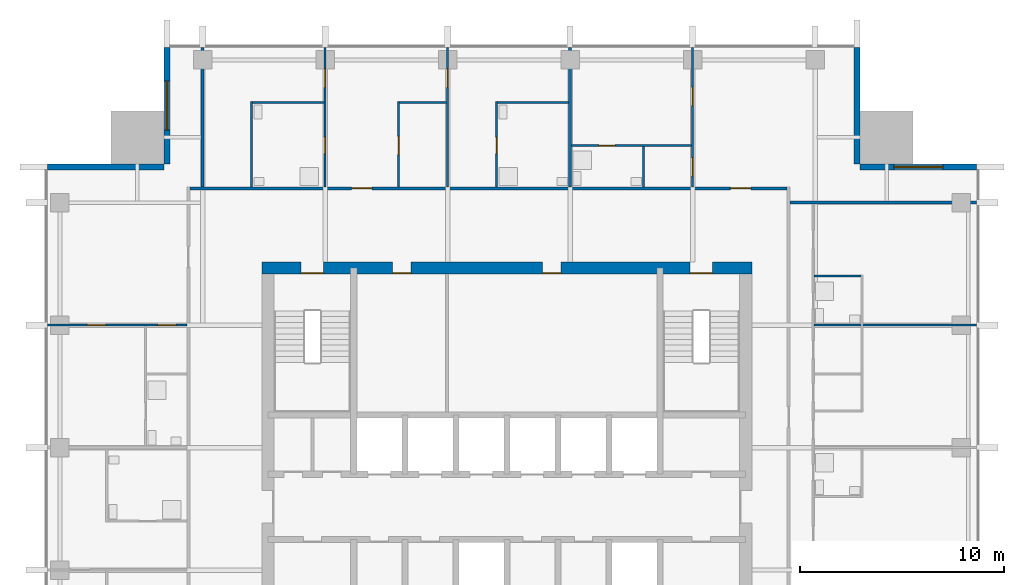
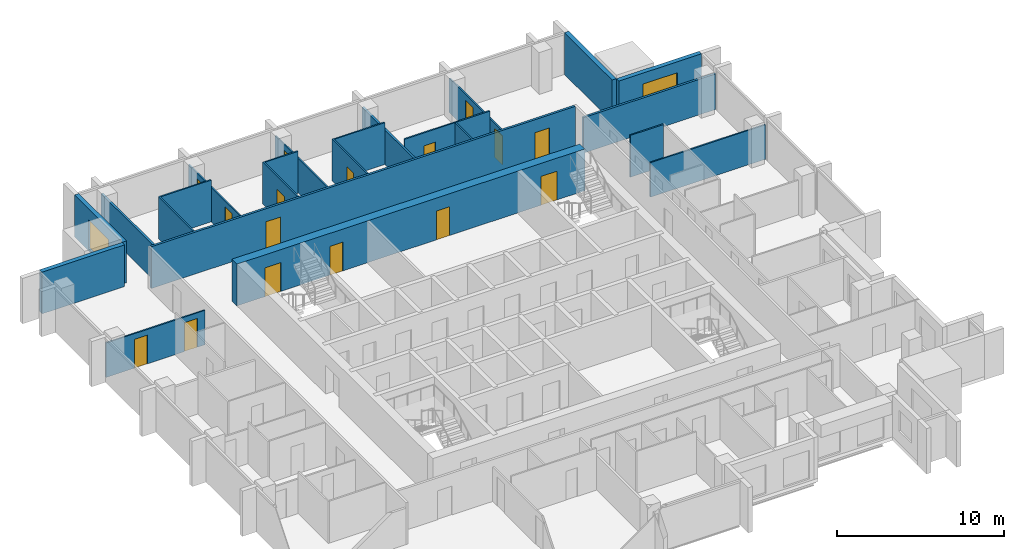
# One storey, part 7 of 10: 23 walls, 16 doors, 2 windows, 18 openings.
"""IFC4 building model written with IfcOpenShell, lengths in metres."""

import ifcopenshell
import ifcopenshell.guid

model = None  # the IFC model being written
_history = None  # IfcOwnerHistory: only IFC2X3 demands one
_inside = {}  # id of a spatial element -> (the spatial element, [elements in it])
_under = {}  # id of a project, library or spatial element -> (it, [spatial elements below it])
_declared = {}  # id of a project -> (the project, [libraries it declares])
_typed = {}  # id of a type object -> (the type object, [elements of that type])
_made_of = {}  # id of a material, layer set ... -> (it, [elements and type objects made of it])


def new_model(schema):
    """Start an empty IFC model of exactly this schema.

    Asked for "IFC4X3", IfcOpenShell would pick the latest addendum, in which some entities
    have other attributes; the version numbers below select the first issue.
    IFC2X3 requires an IfcOwnerHistory on every rooted entity: one is made here for all.
    """
    global model, _history
    if schema == "IFC4X3":
        model = ifcopenshell.file(schema_version=(4, 3, 0, 0))
    else:
        model = ifcopenshell.file(schema=schema)
    _inside.clear()
    _under.clear()
    _declared.clear()
    _typed.clear()
    _made_of.clear()
    _history = None
    if model.schema == "IFC2X3":
        org = make("IfcOrganization", Name="unknown")
        user = make(
            "IfcPersonAndOrganization",
            ThePerson=make("IfcPerson", FamilyName="unknown"),
            TheOrganization=org,
        )
        app = make(
            "IfcApplication",
            ApplicationDeveloper=org,
            Version="unknown",
            ApplicationFullName="unknown",
            ApplicationIdentifier="unknown",
        )
        _history = make(
            "IfcOwnerHistory",
            OwningUser=user,
            OwningApplication=app,
            ChangeAction="ADDED",
            CreationDate=0,
        )
    return model


def make(cls, **values):
    """One entity of the class cls with the attributes given. An attribute that is None is left unset."""
    return model.create_entity(
        cls, **{name: value for name, value in values.items() if value is not None}
    )


def rooted(cls, **values):
    """An entity with a GlobalId (a new one), such as an element, a storey or a relation."""
    return make(cls, GlobalId=ifcopenshell.guid.new(), OwnerHistory=_history, **values)


def si_unit(unit_type, name, prefix=None):
    """IfcSIUnit, for example si_unit("LENGTHUNIT", "METRE", prefix="MILLI")."""
    return make("IfcSIUnit", UnitType=unit_type, Prefix=prefix, Name=name)


def assignment(units):
    """IfcUnitAssignment: the units of a project."""
    return None if units is None else make("IfcUnitAssignment", Units=units)


def point(xyz):
    """IfcCartesianPoint."""
    return None if xyz is None else make("IfcCartesianPoint", Coordinates=xyz)


def direction(xyz):
    """IfcDirection."""
    return None if xyz is None else make("IfcDirection", DirectionRatios=xyz)


def frame(location, z_axis=None, x_axis=None):
    """IfcAxis2Placement3D, a coordinate frame: its origin and axes. An axis left out is left unset."""
    return make(
        "IfcAxis2Placement3D",
        Location=point(location),
        Axis=direction(z_axis),
        RefDirection=direction(x_axis),
    )


def frame_2d(location, x_axis=None):
    """IfcAxis2Placement2D, a coordinate frame in the plane: its origin and x axis."""
    return make(
        "IfcAxis2Placement2D", Location=point(location), RefDirection=direction(x_axis)
    )


def origin():
    """The frame at (0, 0, 0) with its axes left unset."""
    return frame((0.0, 0.0, 0.0))


def place(relative_to, where):
    """IfcLocalPlacement: puts the frame where relative to a parent placement (None: the world)."""
    return make(
        "IfcLocalPlacement", PlacementRelTo=relative_to, RelativePlacement=where
    )


def context(
    kind, dimensions, precision=None, world=None, true_north=None, identifier=None
):
    """IfcGeometricRepresentationContext, for example the 3D "Model" context."""
    return make(
        "IfcGeometricRepresentationContext",
        ContextIdentifier=identifier,
        ContextType=kind,
        CoordinateSpaceDimension=dimensions,
        Precision=precision,
        WorldCoordinateSystem=world,
        TrueNorth=true_north,
    )


def subcontext(parent, identifier, kind, view, scale=None):
    """IfcGeometricRepresentationSubContext, for example "Body" below "Model"."""
    return make(
        "IfcGeometricRepresentationSubContext",
        ContextIdentifier=identifier,
        ContextType=kind,
        ParentContext=parent,
        TargetScale=scale,
        TargetView=view,
    )


def project(units=None, contexts=None):
    """IfcProject with its units and contexts."""
    return rooted(
        "IfcProject",
        Name="project",
        RepresentationContexts=contexts,
        UnitsInContext=assignment(units),
    )


def spatial(cls, under=None, at=None, **own):
    """A site, building, storey or space (cls), placed at a placement, below another one or the project."""
    s = rooted(cls, ObjectPlacement=at, **own)
    if under is not None:
        _under.setdefault(under.id(), (under, []))[1].append(s)
    return s


def profile(cls, at=None, kind="AREA", **sizes):
    """A parametric profile (cls). Its sizes go by their IFC names, for example OverallWidth=200.0."""
    return make(cls, ProfileType=kind, Position=at, **sizes)


def rectangle(**sizes):
    """IfcRectangleProfileDef."""
    return profile("IfcRectangleProfileDef", **sizes)


def extrude(swept, where, along, depth):
    """IfcExtrudedAreaSolid: the profile swept, set in the frame where, extruded along a direction by depth."""
    return make(
        "IfcExtrudedAreaSolid",
        SweptArea=swept,
        Position=where,
        ExtrudedDirection=direction(along),
        Depth=depth,
    )


def shape(context_of_items, identifier, shape_type, items):
    """IfcShapeRepresentation: the items that make up one representation, for example the "Body"."""
    return make(
        "IfcShapeRepresentation",
        ContextOfItems=context_of_items,
        RepresentationIdentifier=identifier,
        RepresentationType=shape_type,
        Items=items,
    )


def material(Name=None, Category=None):
    """IfcMaterial."""
    return make("IfcMaterial", Name=Name, Category=Category)


def layer(
    of_material, thickness, ventilated=None, Name=None, Category=None, Priority=None
):
    """IfcMaterialLayer: one layer of a wall or slab, of a material (None: an air gap)."""
    return make(
        "IfcMaterialLayer",
        Material=of_material,
        LayerThickness=thickness,
        IsVentilated=ventilated,
        Name=Name,
        Category=Category,
        Priority=Priority,
    )


def layer_set(layers, Name=None):
    """IfcMaterialLayerSet."""
    return make("IfcMaterialLayerSet", MaterialLayers=layers, LayerSetName=Name)


def made_of(thing, what):
    """Note that an element or type object is made of a material, layer set ...; save() writes the relation."""
    if what is not None:
        _made_of.setdefault(what.id(), (what, []))[1].append(thing)
    return thing


def type_object(cls, material=None, **own):
    """A type object (cls), such as IfcWallType, which elements share."""
    return made_of(rooted(cls, **own), material)


def element(
    cls,
    number,
    at=None,
    inside=None,
    cuts=None,
    type_object=None,
    material=None,
    context=None,
    identifier="Body",
    shape_type=None,
    held_by="IfcProductDefinitionShape",
    body=None,
    shapes=None,
    **own,
):
    """One element of the class cls, such as IfcWall. Its Tag is "e" and its number.

    at: its placement. inside: the storey or other place that contains it. cuts: it is an
    opening in that element (IfcRelVoidsElement). A single representation is given by context,
    identifier, shape_type and body (its items); several are given by shapes. held_by: the class
    of the entity that holds the representations. save() writes the other relations.
    """
    e = rooted(cls, Tag="e%d" % number, ObjectPlacement=at, **own)
    if body is not None:
        shapes = [shape(context, identifier, shape_type, body)]
    if shapes is not None:
        e.Representation = make(held_by, Representations=shapes)
    if inside is not None:
        _inside.setdefault(inside.id(), (inside, []))[1].append(e)
    if cuts is not None:
        rooted(
            "IfcRelVoidsElement", RelatingBuildingElement=cuts, RelatedOpeningElement=e
        )
    if type_object is not None:
        _typed.setdefault(type_object.id(), (type_object, []))[1].append(e)
    return made_of(e, material)


def fill(opening, filler):
    """IfcRelFillsElement: the door or window that sits in an opening."""
    return rooted(
        "IfcRelFillsElement",
        RelatingOpeningElement=opening,
        RelatedBuildingElement=filler,
    )


def aggregate(whole, parts):
    """IfcRelAggregates: a whole, such as a stair, and the parts it consists of."""
    return rooted("IfcRelAggregates", RelatingObject=whole, RelatedObjects=parts)


def save(model, path):
    """Write the relations noted so far, then the file.

    IfcRelAggregates (storeys below a building ...), IfcRelContainedInSpatialStructure (elements
    in a storey), IfcRelDefinesByType, IfcRelAssociatesMaterial and IfcRelDeclares: one each for
    every whole, place, type object, material and project.
    """
    for whole, parts in _under.values():
        aggregate(whole, parts)
    for where, things in _inside.values():
        rooted(
            "IfcRelContainedInSpatialStructure",
            RelatedElements=things,
            RelatingStructure=where,
        )
    for kind, things in _typed.values():
        rooted("IfcRelDefinesByType", RelatedObjects=things, RelatingType=kind)
    for what, things in _made_of.values():
        rooted("IfcRelAssociatesMaterial", RelatedObjects=things, RelatingMaterial=what)
    for by, libraries in _declared.values():
        rooted("IfcRelDeclares", RelatingContext=by, RelatedDefinitions=libraries)
    model.write(path)


model = new_model("IFC4")

# Units and contexts
model_context = context("Model", 3, precision=1e-05, world=origin(), true_north=direction((0.0, 1.0)))
body_context = subcontext(model_context, "Body", "Model", "MODEL_VIEW")
ifc_project = project(units=[si_unit("LENGTHUNIT", "METRE"), si_unit("AREAUNIT", "SQUARE_METRE"), si_unit("VOLUMEUNIT", "CUBIC_METRE"), si_unit("PLANEANGLEUNIT", "RADIAN"), si_unit("MASSUNIT", "GRAM", prefix="KILO")], contexts=[model_context])

# Site, building, storey
site_placement = place(None, origin())
site = spatial("IfcSite", under=ifc_project, at=site_placement, CompositionType="ELEMENT")
building_placement = place(site_placement, origin())
building = spatial("IfcBuilding", under=site, at=building_placement, Name="Amberfall Residences", CompositionType="ELEMENT")
storey_placement = place(building_placement, frame((0.0, 0.0, 200.199951171875)))
storey = spatial("IfcBuildingStorey", under=building, at=storey_placement, Name="L53", CompositionType="ELEMENT", Elevation=200.199951171875)

# Wall, opening, window
ifc_material_1 = material(Name="Pale stone cladding on insulated backing", Category="masonry")
ifc_layer_1 = layer(ifc_material_1, 0.300048828125)
ifc_layer_set_1 = layer_set([ifc_layer_1], Name="Bronze clad wall 300")
wall_type_1 = type_object("IfcWallType", Name="Bronze clad wall 300", PredefinedType="SOLIDWALL", material=ifc_layer_set_1)
wall_1_placement = place(storey_placement, frame((97.5, 62.14990234375, 0.0), z_axis=(0.0, 0.0, 1.0), x_axis=(-1.0, 0.0, 0.0)))
wall_1 = element("IfcWall", 1, at=wall_1_placement, inside=storey, type_object=wall_type_1, Name="External wall L53 NE", PredefinedType="SOLIDWALL", context=body_context, shape_type="SweptSolid", body=[
    extrude(rectangle(XDim=5.699951171875, YDim=0.300048828125, at=frame_2d((2.85009765625, 0.0))), origin(), (0.0, 0.0, 1.0), 3.050048828125),
])
opening_1_placement = place(wall_1_placement, frame((1.64990234375, 0.0, 0.14990234375)))
opening_1 = element("IfcOpeningElement", 2, at=opening_1_placement, cuts=wall_1, Name="Opening WN5", PredefinedType="OPENING", context=body_context, shape_type="SweptSolid", body=[
    extrude(rectangle(XDim=2.39990234375, YDim=2.10009765625, at=frame_2d((1.199951171875, 1.050048828125))), frame((0.0, 0.159912109375, 0.0), z_axis=(0.0, -1.0, 0.0), x_axis=(1.0, 0.0, 0.0)), (0.0, 0.0, 1.0), 0.320068359375),
])
ifc_material_2 = material(Name="Bronze aluminium framed glazing", Category="aluminium")
window_type = type_object("IfcWindowType", Name="Glazed opening 2400 x 2100 bronze", PartitioningType="DOUBLE_PANEL_VERTICAL", PredefinedType="WINDOW", material=ifc_material_2)
window_1_placement = place(opening_1_placement, origin())
window_1 = element("IfcWindow", 3, at=window_1_placement, inside=storey, type_object=window_type, Name="Window L53 NE", OverallHeight=2.10009765625, OverallWidth=2.39990234375, PartitioningType="DOUBLE_PANEL_VERTICAL", PredefinedType="WINDOW", context=body_context, shape_type="SweptSolid", body=[
    extrude(rectangle(XDim=2.39990234375, YDim=2.10009765625, at=frame_2d((1.199951171875, 1.050048828125))), frame((0.0, 0.030029296875, 0.0), z_axis=(0.0, -1.0, 0.0), x_axis=(1.0, 0.0, 0.0)), (0.0, 0.0, 1.0), 0.06005859375),
])
fill(opening_1, window_1)

# Wall
wall_2_placement = place(storey_placement, frame((91.64990234375, 62.300048828125, 0.0), z_axis=(0.0, 0.0, 1.0), x_axis=(0.0, 1.0, 0.0)))
element("IfcWall", 4, at=wall_2_placement, inside=storey, type_object=wall_type_1, Name="External wall L53 NE", PredefinedType="SOLIDWALL", context=body_context, shape_type="SweptSolid", body=[
    extrude(rectangle(XDim=5.699951171875, YDim=0.300048828125, at=frame_2d((2.85009765625, 0.0))), origin(), (0.0, 0.0, 1.0), 3.050048828125),
])

# Wall, opening, window
wall_3_placement = place(storey_placement, frame((57.85009765625, 68.0, 0.0), z_axis=(0.0, 0.0, 1.0), x_axis=(0.0, -1.0, 0.0)))
wall_3 = element("IfcWall", 5, at=wall_3_placement, inside=storey, type_object=wall_type_1, Name="External wall L53 NW", PredefinedType="SOLIDWALL", context=body_context, shape_type="SweptSolid", body=[
    extrude(rectangle(XDim=5.699951171875, YDim=0.300048828125, at=frame_2d((2.85009765625, 0.0))), origin(), (0.0, 0.0, 1.0), 3.050048828125),
])
opening_2_placement = place(wall_3_placement, frame((1.64990234375, 0.0, 0.14990234375)))
opening_2 = element("IfcOpeningElement", 6, at=opening_2_placement, cuts=wall_3, Name="Opening WN5", PredefinedType="OPENING", context=body_context, shape_type="SweptSolid", body=[
    extrude(rectangle(XDim=2.39990234375, YDim=2.10009765625, at=frame_2d((1.199951171875, 1.050048828125))), frame((0.0, 0.159912109375, 0.0), z_axis=(0.0, -1.0, 0.0), x_axis=(1.0, 0.0, 0.0)), (0.0, 0.0, 1.0), 0.320068359375),
])
window_2_placement = place(opening_2_placement, origin())
window_2 = element("IfcWindow", 7, at=window_2_placement, inside=storey, type_object=window_type, Name="Window L53 NW", OverallHeight=2.10009765625, OverallWidth=2.39990234375, PartitioningType="DOUBLE_PANEL_VERTICAL", PredefinedType="WINDOW", context=body_context, shape_type="SweptSolid", body=[
    extrude(rectangle(XDim=2.39990234375, YDim=2.10009765625, at=frame_2d((1.199951171875, 1.050048828125))), frame((0.0, 0.030029296875, 0.0), z_axis=(0.0, -1.0, 0.0), x_axis=(1.0, 0.0, 0.0)), (0.0, 0.0, 1.0), 0.06005859375),
])
fill(opening_2, window_2)

# Wall
wall_4_placement = place(storey_placement, frame((57.699951171875, 62.14990234375, 0.0), z_axis=(0.0, 0.0, 1.0), x_axis=(-1.0, 0.0, 0.0)))
element("IfcWall", 8, at=wall_4_placement, inside=storey, type_object=wall_type_1, Name="External wall L53 NW", PredefinedType="SOLIDWALL", context=body_context, shape_type="SweptSolid", body=[
    extrude(rectangle(XDim=5.699951171875, YDim=0.300048828125, at=frame_2d((2.85009765625, 0.0))), origin(), (0.0, 0.0, 1.0), 3.050048828125),
])

# Wall, openings, doors
ifc_material_3 = material(Name="Concrete C55", Category="concrete")
ifc_layer_2 = layer(ifc_material_3, 0.60009765625)
ifc_layer_set_2 = layer_set([ifc_layer_2], Name="Core wall 600 C55")
wall_type_2 = type_object("IfcWallType", Name="Core wall 600 C55", PredefinedType="SHEAR", material=ifc_layer_set_2)
wall_5_placement = place(storey_placement, frame((62.5, 57.199951171875, 0.0), z_axis=(0.0, 0.0, 1.0), x_axis=(1.0, 0.0, 0.0)))
wall_5 = element("IfcWall", 9, at=wall_5_placement, inside=storey, type_object=wall_type_2, Name="Core wall RW7 L53 ON", PredefinedType="SHEAR", context=body_context, shape_type="SweptSolid", body=[
    extrude(rectangle(XDim=24.0, YDim=0.60009765625, at=frame_2d((12.0, 0.0))), origin(), (0.0, 0.0, 1.0), 3.050048828125),
])
opening_3_placement = place(wall_5_placement, frame((20.97509765625, 0.0, 0.0)))
opening_3 = element("IfcOpeningElement", 10, at=opening_3_placement, cuts=wall_5, Name="Opening SD1", PredefinedType="OPENING", context=body_context, shape_type="SweptSolid", body=[
    extrude(rectangle(XDim=1.10009765625, YDim=2.10009765625, at=frame_2d((0.550048828125, 1.050048828125))), frame((0.0, 0.31005859375, 0.0), z_axis=(0.0, -1.0, 0.0), x_axis=(1.0, 0.0, 0.0)), (0.0, 0.0, 1.0), 0.6201171875),
])
opening_4_placement = place(wall_5_placement, frame((1.925048828125, 0.0, 0.0)))
opening_4 = element("IfcOpeningElement", 11, at=opening_4_placement, cuts=wall_5, Name="Opening SD1", PredefinedType="OPENING", context=body_context, shape_type="SweptSolid", body=[
    extrude(rectangle(XDim=1.10009765625, YDim=2.10009765625, at=frame_2d((0.550048828125, 1.050048828125))), frame((0.0, 0.31005859375, 0.0), z_axis=(0.0, -1.0, 0.0), x_axis=(1.0, 0.0, 0.0)), (0.0, 0.0, 1.0), 0.6201171875),
])
opening_5_placement = place(wall_5_placement, frame((6.405029296875, 0.0, 0.0)))
opening_5 = element("IfcOpeningElement", 12, at=opening_5_placement, cuts=wall_5, Name="Opening RD1", PredefinedType="OPENING", context=body_context, shape_type="SweptSolid", body=[
    extrude(rectangle(XDim=0.89990234375, YDim=2.10009765625, at=frame_2d((0.449951171875, 1.050048828125))), frame((0.0, 0.31005859375, 0.0), z_axis=(0.0, -1.0, 0.0), x_axis=(1.0, 0.0, 0.0)), (0.0, 0.0, 1.0), 0.6201171875),
])
opening_6_placement = place(wall_5_placement, frame((13.7548828125, 0.0, 0.0)))
opening_6 = element("IfcOpeningElement", 13, at=opening_6_placement, cuts=wall_5, Name="Opening RD1", PredefinedType="OPENING", context=body_context, shape_type="SweptSolid", body=[
    extrude(rectangle(XDim=0.89990234375, YDim=2.10009765625, at=frame_2d((0.449951171875, 1.050048828125))), frame((0.0, 0.31005859375, 0.0), z_axis=(0.0, -1.0, 0.0), x_axis=(1.0, 0.0, 0.0)), (0.0, 0.0, 1.0), 0.6201171875),
])
ifc_material_4 = material(Name="Steel fire door set", Category="steel")
door_type_1 = type_object("IfcDoorType", Name="Service room door 900 x 2100", OperationType="SINGLE_SWING_LEFT", PredefinedType="DOOR", material=ifc_material_4)
door_1_placement = place(opening_5_placement, origin())
door_1 = element("IfcDoor", 14, at=door_1_placement, inside=storey, type_object=door_type_1, Name="RD1 L53", OperationType="SINGLE_SWING_RIGHT", OverallHeight=2.10009765625, OverallWidth=0.89990234375, PredefinedType="DOOR", context=body_context, shape_type="SweptSolid", body=[
    extrude(rectangle(XDim=0.89990234375, YDim=2.10009765625, at=frame_2d((0.449951171875, 1.050048828125))), frame((0.0, -0.2373046875, 0.0), z_axis=(0.0, -1.0, 0.0), x_axis=(1.0, 0.0, 0.0)), (0.0, 0.0, 1.0), 0.050048828125),
])
fill(opening_5, door_1)
door_2_placement = place(opening_6_placement, origin())
door_2 = element("IfcDoor", 15, at=door_2_placement, inside=storey, type_object=door_type_1, Name="RD1 L53", OperationType="SINGLE_SWING_RIGHT", OverallHeight=2.10009765625, OverallWidth=0.89990234375, PredefinedType="DOOR", context=body_context, shape_type="SweptSolid", body=[
    extrude(rectangle(XDim=0.89990234375, YDim=2.10009765625, at=frame_2d((0.449951171875, 1.050048828125))), frame((0.0, -0.2373046875, 0.0), z_axis=(0.0, -1.0, 0.0), x_axis=(1.0, 0.0, 0.0)), (0.0, 0.0, 1.0), 0.050048828125),
])
fill(opening_6, door_2)
door_type_2 = type_object("IfcDoorType", Name="Stair door 1100 x 2100", OperationType="SINGLE_SWING_LEFT", PredefinedType="DOOR", material=ifc_material_4)
door_3_placement = place(opening_3_placement, origin())
door_3 = element("IfcDoor", 16, at=door_3_placement, inside=storey, type_object=door_type_2, Name="SD1 L53", OperationType="SINGLE_SWING_RIGHT", OverallHeight=2.10009765625, OverallWidth=1.10009765625, PredefinedType="DOOR", context=body_context, shape_type="SweptSolid", body=[
    extrude(rectangle(XDim=1.10009765625, YDim=2.10009765625, at=frame_2d((0.550048828125, 1.050048828125))), frame((0.0, -0.2373046875, 0.0), z_axis=(0.0, -1.0, 0.0), x_axis=(1.0, 0.0, 0.0)), (0.0, 0.0, 1.0), 0.050048828125),
])
fill(opening_3, door_3)
door_4_placement = place(opening_4_placement, origin())
door_4 = element("IfcDoor", 17, at=door_4_placement, inside=storey, type_object=door_type_2, Name="SD1 L53", OperationType="SINGLE_SWING_LEFT", OverallHeight=2.10009765625, OverallWidth=1.10009765625, PredefinedType="DOOR", context=body_context, shape_type="SweptSolid", body=[
    extrude(rectangle(XDim=1.10009765625, YDim=2.10009765625, at=frame_2d((0.550048828125, 1.050048828125))), frame((0.0, -0.2373046875, 0.0), z_axis=(0.0, -1.0, 0.0), x_axis=(1.0, 0.0, 0.0)), (0.0, 0.0, 1.0), 0.050048828125),
])
fill(opening_4, door_4)

# Wall
ifc_material_5 = material(Name="Gypsum board on metal stud")
ifc_layer_3 = layer(ifc_material_5, 0.10009765625)
ifc_layer_set_3 = layer_set([ifc_layer_3], Name="Flat partition 100")
wall_type_3 = type_object("IfcWallType", Name="Flat partition 100", PredefinedType="PARTITIONING", material=ifc_layer_set_3)
wall_6_placement = place(storey_placement, frame((62.0, 61.175048828125, 0.0), z_axis=(0.0, 0.0, 1.0), x_axis=(0.0, 1.0, 0.0)))
element("IfcWall", 18, at=wall_6_placement, inside=storey, type_object=wall_type_3, Name="Partition 005", PredefinedType="PARTITIONING", context=body_context, shape_type="SweptSolid", body=[
    extrude(rectangle(XDim=4.175048828125, YDim=0.10009765625, at=frame_2d((2.08740234375, 0.0))), origin(), (0.0, 0.0, 1.0), 3.050048828125),
])

# Wall, openings, doors
wall_7_placement = place(storey_placement, frame((65.60009765625, 61.175048828125, 0.0), z_axis=(0.0, 0.0, 1.0), x_axis=(0.0, 1.0, 0.0)))
wall_7 = element("IfcWall", 19, at=wall_7_placement, inside=storey, type_object=wall_type_3, Name="Partition 007", PredefinedType="PARTITIONING", context=body_context, shape_type="SweptSolid", body=[
    extrude(rectangle(XDim=6.824951171875, YDim=0.10009765625, at=frame_2d((3.41259765625, 0.0))), origin(), (0.0, 0.0, 1.0), 2.51611328125),
])
opening_7_placement = place(wall_7_placement, frame((4.875, 0.0, 0.0)))
opening_7 = element("IfcOpeningElement", 20, at=opening_7_placement, cuts=wall_7, Name="Opening D41", PredefinedType="OPENING", context=body_context, shape_type="SweptSolid", body=[
    extrude(rectangle(XDim=0.89990234375, YDim=2.10009765625, at=frame_2d((0.449951171875, 1.050048828125))), frame((0.0, 0.06005859375, 0.0), z_axis=(0.0, -1.0, 0.0), x_axis=(1.0, 0.0, 0.0)), (0.0, 0.0, 1.0), 0.1201171875),
])
opening_8_placement = place(wall_7_placement, frame((1.625, 0.0, 0.0)))
opening_8 = element("IfcOpeningElement", 21, at=opening_8_placement, cuts=wall_7, Name="Opening D42", PredefinedType="OPENING", context=body_context, shape_type="SweptSolid", body=[
    extrude(rectangle(XDim=0.800048828125, YDim=2.10009765625, at=frame_2d((0.39990234375, 1.050048828125))), frame((0.0, 0.06005859375, 0.0), z_axis=(0.0, -1.0, 0.0), x_axis=(1.0, 0.0, 0.0)), (0.0, 0.0, 1.0), 0.1201171875),
])
ifc_material_6 = material(Name="Timber", Category="wood")
door_type_3 = type_object("IfcDoorType", Name="Bathroom door 800 x 2100", OperationType="SINGLE_SWING_LEFT", PredefinedType="DOOR", material=ifc_material_6)
door_5_placement = place(opening_8_placement, origin())
door_5 = element("IfcDoor", 22, at=door_5_placement, inside=storey, type_object=door_type_3, Name="Door 5305 bath1", OperationType="SINGLE_SWING_LEFT", OverallHeight=2.10009765625, OverallWidth=0.800048828125, PredefinedType="DOOR", context=body_context, shape_type="SweptSolid", body=[
    extrude(rectangle(XDim=0.800048828125, YDim=2.10009765625, at=frame_2d((0.39990234375, 1.050048828125))), frame((0.0, 0.02490234375, 0.0), z_axis=(0.0, -1.0, 0.0), x_axis=(1.0, 0.0, 0.0)), (0.0, 0.0, 1.0), 0.050048828125),
])
fill(opening_8, door_5)
door_type_4 = type_object("IfcDoorType", Name="Internal door 900 x 2100", OperationType="SINGLE_SWING_LEFT", PredefinedType="DOOR", material=ifc_material_6)
door_6_placement = place(opening_7_placement, origin())
door_6 = element("IfcDoor", 23, at=door_6_placement, inside=storey, type_object=door_type_4, Name="Door 5305 bedroom1", OperationType="SINGLE_SWING_LEFT", OverallHeight=2.10009765625, OverallWidth=0.89990234375, PredefinedType="DOOR", context=body_context, shape_type="SweptSolid", body=[
    extrude(rectangle(XDim=0.89990234375, YDim=2.10009765625, at=frame_2d((0.449951171875, 1.050048828125))), frame((0.0, 0.02490234375, 0.0), z_axis=(0.0, -1.0, 0.0), x_axis=(1.0, 0.0, 0.0)), (0.0, 0.0, 1.0), 0.050048828125),
])
fill(opening_7, door_6)

# Wall, opening, door
wall_8_placement = place(storey_placement, frame((69.199951171875, 65.35009765625, 0.0), z_axis=(0.0, 0.0, 1.0), x_axis=(0.0, -1.0, 0.0)))
wall_8 = element("IfcWall", 24, at=wall_8_placement, inside=storey, type_object=wall_type_3, Name="Partition 009", PredefinedType="PARTITIONING", context=body_context, shape_type="SweptSolid", body=[
    extrude(rectangle(XDim=4.175048828125, YDim=0.10009765625, at=frame_2d((2.08740234375, 0.0))), origin(), (0.0, 0.0, 1.0), 3.050048828125),
])
opening_9_placement = place(wall_8_placement, frame((1.699951171875, 0.0, 0.0)))
opening_9 = element("IfcOpeningElement", 25, at=opening_9_placement, cuts=wall_8, Name="Opening D41", PredefinedType="OPENING", context=body_context, shape_type="SweptSolid", body=[
    extrude(rectangle(XDim=0.89990234375, YDim=2.10009765625, at=frame_2d((0.449951171875, 1.050048828125))), frame((0.0, 0.06005859375, 0.0), z_axis=(0.0, -1.0, 0.0), x_axis=(1.0, 0.0, 0.0)), (0.0, 0.0, 1.0), 0.1201171875),
])
door_7_placement = place(opening_9_placement, origin())
door_7 = element("IfcDoor", 26, at=door_7_placement, inside=storey, type_object=door_type_4, Name="Door 5305 kitchen", OperationType="SINGLE_SWING_LEFT", OverallHeight=2.10009765625, OverallWidth=0.89990234375, PredefinedType="DOOR", context=body_context, shape_type="SweptSolid", body=[
    extrude(rectangle(XDim=0.89990234375, YDim=2.10009765625, at=frame_2d((0.449951171875, 1.050048828125))), frame((0.0, 0.02490234375, 0.0), z_axis=(0.0, -1.0, 0.0), x_axis=(1.0, 0.0, 0.0)), (0.0, 0.0, 1.0), 0.050048828125),
])
fill(opening_9, door_7)

wall_9_placement = place(storey_placement, frame((71.60009765625, 68.0, 0.0), z_axis=(0.0, 0.0, 1.0), x_axis=(0.0, -1.0, 0.0)))
wall_9 = element("IfcWall", 27, at=wall_9_placement, inside=storey, type_object=wall_type_3, Name="Partition 010", PredefinedType="PARTITIONING", context=body_context, shape_type="SweptSolid", body=[
    extrude(rectangle(XDim=6.824951171875, YDim=0.10009765625, at=frame_2d((3.41259765625, 0.0))), origin(), (0.0, 0.0, 1.0), 2.51611328125),
])
opening_10_placement = place(wall_9_placement, frame((1.050048828125, 0.0, 0.0)))
opening_10 = element("IfcOpeningElement", 28, at=opening_10_placement, cuts=wall_9, Name="Opening D41", PredefinedType="OPENING", context=body_context, shape_type="SweptSolid", body=[
    extrude(rectangle(XDim=0.89990234375, YDim=2.10009765625, at=frame_2d((0.449951171875, 1.050048828125))), frame((0.0, 0.06005859375, 0.0), z_axis=(0.0, -1.0, 0.0), x_axis=(1.0, 0.0, 0.0)), (0.0, 0.0, 1.0), 0.1201171875),
])
door_8_placement = place(opening_10_placement, origin())
door_8 = element("IfcDoor", 29, at=door_8_placement, inside=storey, type_object=door_type_4, Name="Door 5305 bedroom2", OperationType="SINGLE_SWING_LEFT", OverallHeight=2.10009765625, OverallWidth=0.89990234375, PredefinedType="DOOR", context=body_context, shape_type="SweptSolid", body=[
    extrude(rectangle(XDim=0.89990234375, YDim=2.10009765625, at=frame_2d((0.449951171875, 1.050048828125))), frame((0.0, 0.02490234375, 0.0), z_axis=(0.0, -1.0, 0.0), x_axis=(1.0, 0.0, 0.0)), (0.0, 0.0, 1.0), 0.050048828125),
])
fill(opening_10, door_8)

wall_10_placement = place(storey_placement, frame((74.0, 65.35009765625, 0.0), z_axis=(0.0, 0.0, 1.0), x_axis=(0.0, -1.0, 0.0)))
wall_10 = element("IfcWall", 30, at=wall_10_placement, inside=storey, type_object=wall_type_3, Name="Partition 012", PredefinedType="PARTITIONING", context=body_context, shape_type="SweptSolid", body=[
    extrude(rectangle(XDim=4.175048828125, YDim=0.10009765625, at=frame_2d((2.08740234375, 0.0))), origin(), (0.0, 0.0, 1.0), 3.050048828125),
])
opening_11_placement = place(wall_10_placement, frame((1.75, 0.0, 0.0)))
opening_11 = element("IfcOpeningElement", 31, at=opening_11_placement, cuts=wall_10, Name="Opening D42", PredefinedType="OPENING", context=body_context, shape_type="SweptSolid", body=[
    extrude(rectangle(XDim=0.800048828125, YDim=2.10009765625, at=frame_2d((0.39990234375, 1.050048828125))), frame((0.0, 0.06005859375, 0.0), z_axis=(0.0, -1.0, 0.0), x_axis=(1.0, 0.0, 0.0)), (0.0, 0.0, 1.0), 0.1201171875),
])
door_9_placement = place(opening_11_placement, origin())
door_9 = element("IfcDoor", 32, at=door_9_placement, inside=storey, type_object=door_type_3, Name="Door 5305 bath2", OperationType="SINGLE_SWING_LEFT", OverallHeight=2.10009765625, OverallWidth=0.800048828125, PredefinedType="DOOR", context=body_context, shape_type="SweptSolid", body=[
    extrude(rectangle(XDim=0.800048828125, YDim=2.10009765625, at=frame_2d((0.39990234375, 1.050048828125))), frame((0.0, 0.02490234375, 0.0), z_axis=(0.0, -1.0, 0.0), x_axis=(1.0, 0.0, 0.0)), (0.0, 0.0, 1.0), 0.050048828125),
])
fill(opening_11, door_9)

# Wall
wall_11_placement = place(storey_placement, frame((81.199951171875, 61.175048828125, 0.0), z_axis=(0.0, 0.0, 1.0), x_axis=(0.0, 1.0, 0.0)))
element("IfcWall", 33, at=wall_11_placement, inside=storey, type_object=wall_type_3, Name="Partition 016", PredefinedType="PARTITIONING", context=body_context, shape_type="SweptSolid", body=[
    extrude(rectangle(XDim=1.974853515625, YDim=0.10009765625, at=frame_2d((0.9873046875, 0.0))), origin(), (0.0, 0.0, 1.0), 3.050048828125),
])

# Wall, openings, doors
wall_12_placement = place(storey_placement, frame((83.60009765625, 61.175048828125, 0.0), z_axis=(0.0, 0.0, 1.0), x_axis=(0.0, 1.0, 0.0)))
wall_12 = element("IfcWall", 34, at=wall_12_placement, inside=storey, type_object=wall_type_3, Name="Partition 018", PredefinedType="PARTITIONING", context=body_context, shape_type="SweptSolid", body=[
    extrude(rectangle(XDim=6.824951171875, YDim=0.10009765625, at=frame_2d((3.41259765625, 0.0))), origin(), (0.0, 0.0, 1.0), 2.51611328125),
])
opening_12_placement = place(wall_12_placement, frame((0.52490234375, 0.0, 0.0)))
opening_12 = element("IfcOpeningElement", 35, at=opening_12_placement, cuts=wall_12, Name="Opening D41", PredefinedType="OPENING", context=body_context, shape_type="SweptSolid", body=[
    extrude(rectangle(XDim=0.89990234375, YDim=2.10009765625, at=frame_2d((0.449951171875, 1.050048828125))), frame((0.0, 0.06005859375, 0.0), z_axis=(0.0, -1.0, 0.0), x_axis=(1.0, 0.0, 0.0)), (0.0, 0.0, 1.0), 0.1201171875),
])
opening_13_placement = place(wall_12_placement, frame((3.97509765625, 0.0, 0.0)))
opening_13 = element("IfcOpeningElement", 36, at=opening_13_placement, cuts=wall_12, Name="Opening D41", PredefinedType="OPENING", context=body_context, shape_type="SweptSolid", body=[
    extrude(rectangle(XDim=0.89990234375, YDim=2.10009765625, at=frame_2d((0.449951171875, 1.050048828125))), frame((0.0, 0.06005859375, 0.0), z_axis=(0.0, -1.0, 0.0), x_axis=(1.0, 0.0, 0.0)), (0.0, 0.0, 1.0), 0.1201171875),
])
door_10_placement = place(opening_12_placement, origin())
door_10 = element("IfcDoor", 37, at=door_10_placement, inside=storey, type_object=door_type_4, Name="Door 5306 kitchen", OperationType="SINGLE_SWING_LEFT", OverallHeight=2.10009765625, OverallWidth=0.89990234375, PredefinedType="DOOR", context=body_context, shape_type="SweptSolid", body=[
    extrude(rectangle(XDim=0.89990234375, YDim=2.10009765625, at=frame_2d((0.449951171875, 1.050048828125))), frame((0.0, 0.02490234375, 0.0), z_axis=(0.0, -1.0, 0.0), x_axis=(1.0, 0.0, 0.0)), (0.0, 0.0, 1.0), 0.050048828125),
])
fill(opening_12, door_10)
door_11_placement = place(opening_13_placement, origin())
door_11 = element("IfcDoor", 38, at=door_11_placement, inside=storey, type_object=door_type_4, Name="Door 5306 bedroom1", OperationType="SINGLE_SWING_LEFT", OverallHeight=2.10009765625, OverallWidth=0.89990234375, PredefinedType="DOOR", context=body_context, shape_type="SweptSolid", body=[
    extrude(rectangle(XDim=0.89990234375, YDim=2.10009765625, at=frame_2d((0.449951171875, 1.050048828125))), frame((0.0, 0.02490234375, 0.0), z_axis=(0.0, -1.0, 0.0), x_axis=(1.0, 0.0, 0.0)), (0.0, 0.0, 1.0), 0.050048828125),
])
fill(opening_13, door_11)

# Walls
wall_13_placement = place(storey_placement, frame((62.050048828125, 65.300048828125, 0.0), z_axis=(0.0, 0.0, 1.0), x_axis=(1.0, 0.0, 0.0)))
element("IfcWall", 39, at=wall_13_placement, inside=storey, type_object=wall_type_3, Name="Partition 025", PredefinedType="PARTITIONING", context=body_context, shape_type="SweptSolid", body=[
    extrude(rectangle(XDim=3.5, YDim=0.10009765625, at=frame_2d((1.75, 0.0))), origin(), (0.0, 0.0, 1.0), 3.050048828125),
])
wall_14_placement = place(storey_placement, frame((69.25, 65.300048828125, 0.0), z_axis=(0.0, 0.0, 1.0), x_axis=(1.0, 0.0, 0.0)))
element("IfcWall", 40, at=wall_14_placement, inside=storey, type_object=wall_type_3, Name="Partition 026", PredefinedType="PARTITIONING", context=body_context, shape_type="SweptSolid", body=[
    extrude(rectangle(XDim=2.300048828125, YDim=0.10009765625, at=frame_2d((1.14990234375, 0.0))), origin(), (0.0, 0.0, 1.0), 3.050048828125),
])
wall_15_placement = place(storey_placement, frame((74.050048828125, 65.300048828125, 0.0), z_axis=(0.0, 0.0, 1.0), x_axis=(1.0, 0.0, 0.0)))
element("IfcWall", 41, at=wall_15_placement, inside=storey, type_object=wall_type_3, Name="Partition 027", PredefinedType="PARTITIONING", context=body_context, shape_type="SweptSolid", body=[
    extrude(rectangle(XDim=3.474853515625, YDim=0.10009765625, at=frame_2d((1.7373046875, 0.0))), origin(), (0.0, 0.0, 1.0), 3.050048828125),
])

# Wall, opening, door
wall_16_placement = place(storey_placement, frame((83.550048828125, 63.199951171875, 0.0), z_axis=(0.0, 0.0, 1.0), x_axis=(-1.0, 0.0, 0.0)))
wall_16 = element("IfcWall", 42, at=wall_16_placement, inside=storey, type_object=wall_type_3, Name="Partition 028", PredefinedType="PARTITIONING", context=body_context, shape_type="SweptSolid", body=[
    extrude(rectangle(XDim=5.875, YDim=0.10009765625, at=frame_2d((2.9375, 0.0))), origin(), (0.0, 0.0, 1.0), 3.050048828125),
])
opening_14_placement = place(wall_16_placement, frame((3.75, 0.0, 0.0)))
opening_14 = element("IfcOpeningElement", 43, at=opening_14_placement, cuts=wall_16, Name="Opening D42", PredefinedType="OPENING", context=body_context, shape_type="SweptSolid", body=[
    extrude(rectangle(XDim=0.800048828125, YDim=2.10009765625, at=frame_2d((0.39990234375, 1.050048828125))), frame((0.0, 0.06005859375, 0.0), z_axis=(0.0, -1.0, 0.0), x_axis=(1.0, 0.0, 0.0)), (0.0, 0.0, 1.0), 0.1201171875),
])
door_12_placement = place(opening_14_placement, origin())
door_12 = element("IfcDoor", 44, at=door_12_placement, inside=storey, type_object=door_type_3, Name="Door 5306 bath1", OperationType="SINGLE_SWING_LEFT", OverallHeight=2.10009765625, OverallWidth=0.800048828125, PredefinedType="DOOR", context=body_context, shape_type="SweptSolid", body=[
    extrude(rectangle(XDim=0.800048828125, YDim=2.10009765625, at=frame_2d((0.39990234375, 1.050048828125))), frame((0.0, 0.02490234375, 0.0), z_axis=(0.0, -1.0, 0.0), x_axis=(1.0, 0.0, 0.0)), (0.0, 0.0, 1.0), 0.050048828125),
])
fill(opening_14, door_12)

# Wall
wall_17_placement = place(storey_placement, frame((89.550048828125, 56.800048828125, 0.0), z_axis=(0.0, 0.0, 1.0), x_axis=(1.0, 0.0, 0.0)))
element("IfcWall", 45, at=wall_17_placement, inside=storey, type_object=wall_type_3, Name="Partition 029", PredefinedType="PARTITIONING", context=body_context, shape_type="SweptSolid", body=[
    extrude(rectangle(XDim=2.300048828125, YDim=0.10009765625, at=frame_2d((1.14990234375, 0.0))), origin(), (0.0, 0.0, 1.0), 3.050048828125),
])

# Wall, openings, doors
wall_18_placement = place(storey_placement, frame((58.824951171875, 54.39990234375, 0.0), z_axis=(0.0, 0.0, 1.0), x_axis=(-1.0, 0.0, 0.0)))
wall_18 = element("IfcWall", 46, at=wall_18_placement, inside=storey, type_object=wall_type_3, Name="Partition 030", PredefinedType="PARTITIONING", context=body_context, shape_type="SweptSolid", body=[
    extrude(rectangle(XDim=6.824951171875, YDim=0.10009765625, at=frame_2d((3.41259765625, 0.0))), origin(), (0.0, 0.0, 1.0), 2.51611328125),
])
opening_15_placement = place(wall_18_placement, frame((0.52490234375, 0.0, 0.0)))
opening_15 = element("IfcOpeningElement", 47, at=opening_15_placement, cuts=wall_18, Name="Opening D41", PredefinedType="OPENING", context=body_context, shape_type="SweptSolid", body=[
    extrude(rectangle(XDim=0.89990234375, YDim=2.10009765625, at=frame_2d((0.449951171875, 1.050048828125))), frame((0.0, 0.06005859375, 0.0), z_axis=(0.0, -1.0, 0.0), x_axis=(1.0, 0.0, 0.0)), (0.0, 0.0, 1.0), 0.1201171875),
])
opening_16_placement = place(wall_18_placement, frame((3.97509765625, 0.0, 0.0)))
opening_16 = element("IfcOpeningElement", 48, at=opening_16_placement, cuts=wall_18, Name="Opening D41", PredefinedType="OPENING", context=body_context, shape_type="SweptSolid", body=[
    extrude(rectangle(XDim=0.89990234375, YDim=2.10009765625, at=frame_2d((0.449951171875, 1.050048828125))), frame((0.0, 0.06005859375, 0.0), z_axis=(0.0, -1.0, 0.0), x_axis=(1.0, 0.0, 0.0)), (0.0, 0.0, 1.0), 0.1201171875),
])
door_13_placement = place(opening_15_placement, origin())
door_13 = element("IfcDoor", 49, at=door_13_placement, inside=storey, type_object=door_type_4, Name="Door 5308 kitchen", OperationType="SINGLE_SWING_LEFT", OverallHeight=2.10009765625, OverallWidth=0.89990234375, PredefinedType="DOOR", context=body_context, shape_type="SweptSolid", body=[
    extrude(rectangle(XDim=0.89990234375, YDim=2.10009765625, at=frame_2d((0.449951171875, 1.050048828125))), frame((0.0, 0.02490234375, 0.0), z_axis=(0.0, -1.0, 0.0), x_axis=(1.0, 0.0, 0.0)), (0.0, 0.0, 1.0), 0.050048828125),
])
fill(opening_15, door_13)
door_14_placement = place(opening_16_placement, origin())
door_14 = element("IfcDoor", 50, at=door_14_placement, inside=storey, type_object=door_type_4, Name="Door 5308 bedroom1", OperationType="SINGLE_SWING_LEFT", OverallHeight=2.10009765625, OverallWidth=0.89990234375, PredefinedType="DOOR", context=body_context, shape_type="SweptSolid", body=[
    extrude(rectangle(XDim=0.89990234375, YDim=2.10009765625, at=frame_2d((0.449951171875, 1.050048828125))), frame((0.0, 0.02490234375, 0.0), z_axis=(0.0, -1.0, 0.0), x_axis=(1.0, 0.0, 0.0)), (0.0, 0.0, 1.0), 0.050048828125),
])
fill(opening_16, door_14)

# Walls
wall_19_placement = place(storey_placement, frame((89.550048828125, 54.39990234375, 0.0), z_axis=(0.0, 0.0, 1.0), x_axis=(1.0, 0.0, 0.0)))
element("IfcWall", 51, at=wall_19_placement, inside=storey, type_object=wall_type_3, Name="Partition 031", PredefinedType="PARTITIONING", context=body_context, shape_type="SweptSolid", body=[
    extrude(rectangle(XDim=7.949951171875, YDim=0.10009765625, at=frame_2d((3.97509765625, 0.0))), origin(), (0.0, 0.0, 1.0), 2.51611328125),
])
ifc_material_7 = material(Name="Blockwork, plastered", Category="masonry")
ifc_layer_4 = layer(ifc_material_7, 0.14990234375)
ifc_layer_set_4 = layer_set([ifc_layer_4], Name="Flat separating wall 150")
wall_type_4 = type_object("IfcWallType", Name="Flat separating wall 150", PredefinedType="PARTITIONING", material=ifc_layer_set_4)
wall_20_placement = place(storey_placement, frame((59.60009765625, 61.175048828125, 0.0), z_axis=(0.0, 0.0, 1.0), x_axis=(0.0, 1.0, 0.0)))
element("IfcWall", 52, at=wall_20_placement, inside=storey, type_object=wall_type_4, Name="Separating wall 050", PredefinedType="PARTITIONING", context=body_context, shape_type="SweptSolid", body=[
    extrude(rectangle(XDim=6.824951171875, YDim=0.14990234375, at=frame_2d((3.41259765625, 0.0))), origin(), (0.0, 0.0, 1.0), 2.510009765625),
])
wall_21_placement = place(storey_placement, frame((77.60009765625, 61.175048828125, 0.0), z_axis=(0.0, 0.0, 1.0), x_axis=(0.0, 1.0, 0.0)))
element("IfcWall", 53, at=wall_21_placement, inside=storey, type_object=wall_type_4, Name="Separating wall 052", PredefinedType="PARTITIONING", context=body_context, shape_type="SweptSolid", body=[
    extrude(rectangle(XDim=6.824951171875, YDim=0.14990234375, at=frame_2d((3.41259765625, 0.0))), origin(), (0.0, 0.0, 1.0), 2.51611328125),
])

# Wall, openings, doors
wall_22_placement = place(storey_placement, frame((58.97509765625, 61.10009765625, 0.0), z_axis=(0.0, 0.0, 1.0), x_axis=(1.0, 0.0, 0.0)))
wall_22 = element("IfcWall", 54, at=wall_22_placement, inside=storey, type_object=wall_type_4, Name="Separating wall 055", PredefinedType="PARTITIONING", context=body_context, shape_type="SweptSolid", body=[
    extrude(rectangle(XDim=29.25, YDim=0.14990234375, at=frame_2d((14.625, 0.0))), origin(), (0.0, 0.0, 1.0), 3.050048828125),
])
opening_17_placement = place(wall_22_placement, frame((7.925048828125, 0.0, 0.0)))
opening_17 = element("IfcOpeningElement", 55, at=opening_17_placement, cuts=wall_22, Name="Opening D40", PredefinedType="OPENING", context=body_context, shape_type="SweptSolid", body=[
    extrude(rectangle(XDim=1.0, YDim=2.10009765625, at=frame_2d((0.5, 1.050048828125))), frame((0.0, 0.0849609375, 0.0), z_axis=(0.0, -1.0, 0.0), x_axis=(1.0, 0.0, 0.0)), (0.0, 0.0, 1.0), 0.169921875),
])
opening_18_placement = place(wall_22_placement, frame((26.47509765625, 0.0, 0.0)))
opening_18 = element("IfcOpeningElement", 56, at=opening_18_placement, cuts=wall_22, Name="Opening D40", PredefinedType="OPENING", context=body_context, shape_type="SweptSolid", body=[
    extrude(rectangle(XDim=1.0, YDim=2.10009765625, at=frame_2d((0.5, 1.050048828125))), frame((0.0, 0.0849609375, 0.0), z_axis=(0.0, -1.0, 0.0), x_axis=(1.0, 0.0, 0.0)), (0.0, 0.0, 1.0), 0.169921875),
])
ifc_material_8 = material(Name="Timber, fire-rated", Category="wood")
door_type_5 = type_object("IfcDoorType", Name="Flat entrance door FD60 1000 x 2100", OperationType="SINGLE_SWING_LEFT", PredefinedType="DOOR", material=ifc_material_8)
door_15_placement = place(opening_17_placement, origin())
door_15 = element("IfcDoor", 57, at=door_15_placement, inside=storey, type_object=door_type_5, Name="Door 5305 entrance", OperationType="SINGLE_SWING_LEFT", OverallHeight=2.10009765625, OverallWidth=1.0, PredefinedType="DOOR", context=body_context, shape_type="SweptSolid", body=[
    extrude(rectangle(XDim=1.0, YDim=2.10009765625, at=frame_2d((0.5, 1.050048828125))), frame((0.0, 0.02490234375, 0.0), z_axis=(0.0, -1.0, 0.0), x_axis=(1.0, 0.0, 0.0)), (0.0, 0.0, 1.0), 0.050048828125),
])
fill(opening_17, door_15)
door_16_placement = place(opening_18_placement, origin())
door_16 = element("IfcDoor", 58, at=door_16_placement, inside=storey, type_object=door_type_5, Name="Door 5306 entrance", OperationType="SINGLE_SWING_LEFT", OverallHeight=2.10009765625, OverallWidth=1.0, PredefinedType="DOOR", context=body_context, shape_type="SweptSolid", body=[
    extrude(rectangle(XDim=1.0, YDim=2.10009765625, at=frame_2d((0.5, 1.050048828125))), frame((0.0, 0.02490234375, 0.0), z_axis=(0.0, -1.0, 0.0), x_axis=(1.0, 0.0, 0.0)), (0.0, 0.0, 1.0), 0.050048828125),
])
fill(opening_18, door_16)

# Wall
wall_23_placement = place(storey_placement, frame((88.375, 60.39990234375, 0.0), z_axis=(0.0, 0.0, 1.0), x_axis=(1.0, 0.0, 0.0)))
element("IfcWall", 59, at=wall_23_placement, inside=storey, type_object=wall_type_4, Name="Separating wall 056", PredefinedType="PARTITIONING", context=body_context, shape_type="SweptSolid", body=[
    extrude(rectangle(XDim=9.125, YDim=0.14990234375, at=frame_2d((4.5625, 0.0))), origin(), (0.0, 0.0, 1.0), 2.590087890625),
])

save(model, "model.ifc")
